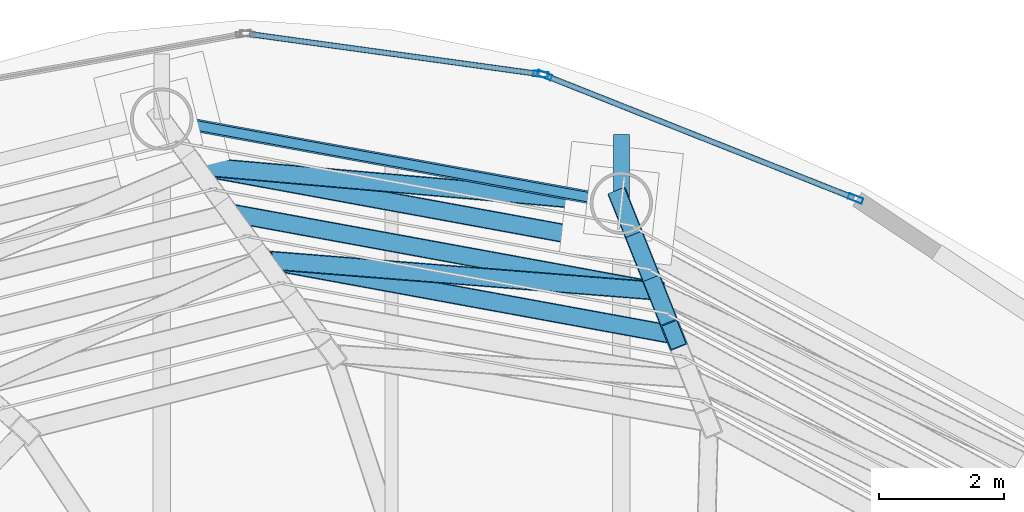
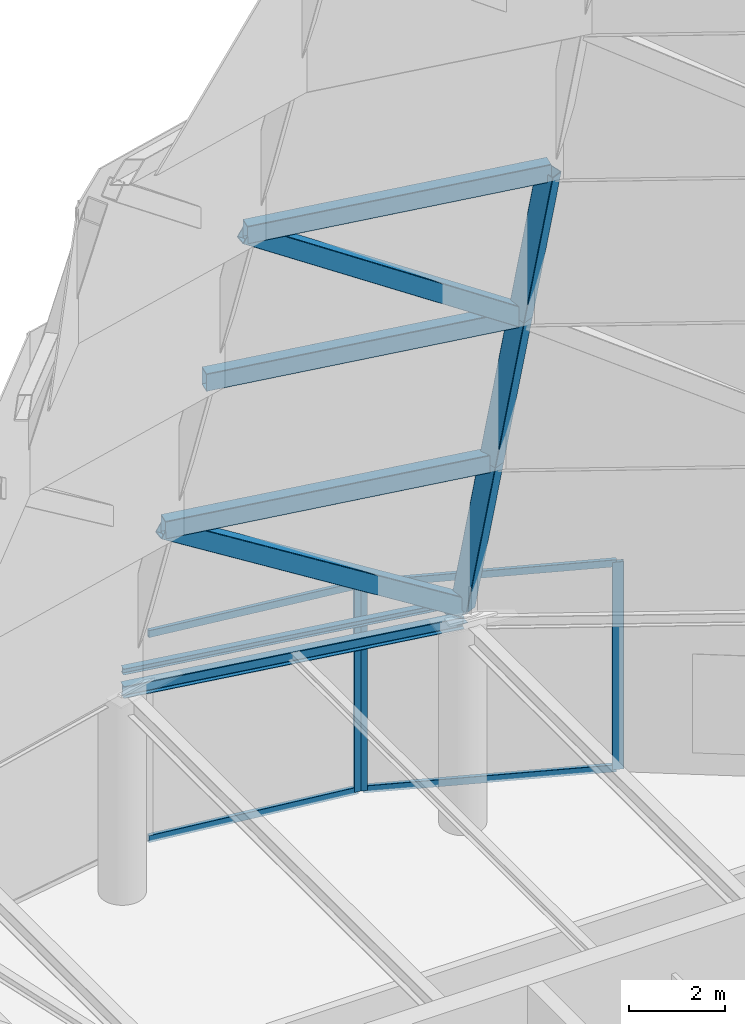
# One storey, part 33 of 40: 15 members, 3 beams, 2 elements without a shape of their own.
"""IFC4 building model written with IfcOpenShell, lengths in metres."""

from ifc_helpers import new_model, si_unit, direction, frame, origin, origin_2d, place, context, subcontext, project, spatial, hollow_rectangle, i_section, extrude, material, layer, layer_set, material_profile, profile_set, type_object, element, aggregate, save


model = new_model("IFC4")

# Units and contexts
model_context = context("Model", 3, precision=1e-05, world=origin(), true_north=direction((0.0, 1.0)))
body_context = subcontext(model_context, "Body", "Model", "MODEL_VIEW")
ifc_project = project(units=[si_unit("LENGTHUNIT", "METRE"), si_unit("AREAUNIT", "SQUARE_METRE"), si_unit("VOLUMEUNIT", "CUBIC_METRE"), si_unit("PLANEANGLEUNIT", "RADIAN"), si_unit("MASSUNIT", "GRAM", prefix="KILO")], contexts=[model_context])

# Site, building, storey
site_placement = place(None, origin())
site = spatial("IfcSite", under=ifc_project, at=site_placement, CompositionType="ELEMENT")
building_placement = place(site_placement, origin())
building = spatial("IfcBuilding", under=site, at=building_placement, Name="Bramvorn Convention Spire", CompositionType="ELEMENT")
storey_placement = place(building_placement, frame((0.0, 0.0, 312.5)))
storey = spatial("IfcBuildingStorey", under=building, at=storey_placement, Name="L79", CompositionType="ELEMENT", Elevation=312.5)

# Beams
ifc_material_1 = material(Name="Steel CSA G40.21 Grade 350 (350W)", Category="steel")
ifc_material_profile_1 = material_profile(ifc_material_1, i_section(OverallWidth=0.152099609375, OverallDepth=0.152099609375, WebThickness=0.005859375, FlangeThickness=0.006591796875, FilletRadius=0.008056640625, at=origin_2d()))
ifc_profile_set_1 = profile_set([ifc_material_profile_1], Name="Steel CSA G40.21 Grade 350 (350W) - W150X22")
beam_type_1 = type_object("IfcBeamType", Name="BM-W150X22", PredefinedType="USERDEFINED", material=ifc_profile_set_1)
beam_1_placement = place(storey_placement, frame((40.1845703125, 45.55078125, 5.60009765625), z_axis=(-0.983645049461, 0.180117785547, 0.0), x_axis=(-0.180117785547, -0.983645049461, 0.0)))
element("IfcBeam", 1, at=beam_1_placement, inside=storey, type_object=beam_type_1, Name="Crown spire base glazing purlin 07", ObjectType="PURLIN", PredefinedType="USERDEFINED", context=body_context, shape_type="SweptSolid", body=[
    extrude(i_section(OverallWidth=0.152099609375, OverallDepth=0.152099609375, WebThickness=0.005859375, FlangeThickness=0.006591796875, FilletRadius=0.008056640625, at=origin_2d()), origin(), (0.0, 0.0, 1.0), 7.49560546875),
])
ifc_material_profile_2 = material_profile(ifc_material_1, i_section(OverallWidth=0.25390625, OverallDepth=0.2529296875, WebThickness=0.008544921875, FlangeThickness=0.01416015625, FilletRadius=0.011962890625, at=origin_2d()))
ifc_profile_set_2 = profile_set([ifc_material_profile_2], Name="Steel CSA G40.21 Grade 350 (350W) - W250X73")
beam_type_2 = type_object("IfcBeamType", Name="BM-W250X73", PredefinedType="BEAM", material=ifc_profile_set_2)
beam_2_placement = place(storey_placement, frame((40.1845703125, 45.55078125, 5.12353515625), z_axis=(0.0, 1.0, 0.0), x_axis=(-1.0, 0.0, 0.0)))
element("IfcBeam", 2, at=beam_2_placement, inside=storey, type_object=beam_type_2, Name="L79 slab-edge cantilever tip beam MC07", PredefinedType="BEAM", context=body_context, shape_type="SweptSolid", body=[
    extrude(i_section(OverallWidth=0.25390625, OverallDepth=0.2529296875, WebThickness=0.008544921875, FlangeThickness=0.01416015625, FilletRadius=0.011962890625, at=origin_2d()), origin(), (0.0, 0.0, 1.0), 1.102294921875),
])
ifc_material_profile_3 = material_profile(ifc_material_1, i_section(OverallWidth=0.202880859375, OverallDepth=0.302978515625, WebThickness=0.007568359375, FlangeThickness=0.01318359375, FilletRadius=0.013916015625, at=origin_2d()))
ifc_profile_set_3 = profile_set([ifc_material_profile_3], Name="Steel CSA G40.21 Grade 350 (350W) - W310X60")
beam_type_3 = type_object("IfcBeamType", Name="BM-W310X60", PredefinedType="JOIST", material=ifc_profile_set_3)
beam_3_placement = place(storey_placement, frame((40.1845703125, 45.55078125, 5.098388671875), z_axis=(-0.983645049461, 0.180117785547, 0.0), x_axis=(-0.180117785547, -0.983645049461, 0.0)))
element("IfcBeam", 3, at=beam_3_placement, inside=storey, type_object=beam_type_3, Name="L79 mega-column ring beam 07", PredefinedType="JOIST", context=body_context, shape_type="SweptSolid", body=[
    extrude(i_section(OverallWidth=0.202880859375, OverallDepth=0.302978515625, WebThickness=0.007568359375, FlangeThickness=0.01318359375, FilletRadius=0.013916015625, at=origin_2d()), origin(), (0.0, 0.0, 1.0), 7.49560546875),
])

# Curtain wall, members
ifc_material_2 = material(Name="Anodised Bronze Unitised Curtain Wall", Category="aluminium")
ifc_layer = layer(ifc_material_2, 0.199951171875)
ifc_layer_set = layer_set([ifc_layer], Name="Anodised Bronze Unitised Curtain Wall - CW-CROWN-SPIRE")
curtain_wall_type = type_object("IfcCurtainWallType", Name="CW-CROWN-SPIRE", PredefinedType="USERDEFINED", material=ifc_layer_set)
curtain_wall_1_placement = place(storey_placement, origin())
curtain_wall_1 = element("IfcCurtainWall", 4, at=curtain_wall_1_placement, inside=storey, type_object=curtain_wall_type, Name="L79 fritted glass curtain wall 10", ObjectType="UNITISED CURTAIN WALL", PredefinedType="USERDEFINED")
ifc_material_3 = material(Name="Anodised Bronze Aluminium 6063-T6", Category="aluminium")
ifc_material_profile_4 = material_profile(ifc_material_3, hollow_rectangle(XDim=0.090087890625, YDim=0.239990234375, WallThickness=0.00439453125, InnerFilletRadius=0.0009765625, OuterFilletRadius=0.00439453125, at=origin_2d()))
ifc_profile_set_4 = profile_set([ifc_material_profile_4], Name="Anodised Bronze Aluminium 6063-T6 - CWM90X240")
member_type_1 = type_object("IfcMemberType", Name="CW-MUL-220", PredefinedType="MULLION", material=ifc_profile_set_4)
member_1_placement = place(storey_placement, frame((38.95068359375, 47.6044921875, 0.0), z_axis=(0.0, 0.0, 1.0), x_axis=(0.368739906217, 0.929532614577, 0.0)))
member_1 = element("IfcMember", 5, at=member_1_placement, type_object=member_type_1, Name="CW6 mullion 1", PredefinedType="MULLION", context=body_context, shape_type="SweptSolid", body=[
    extrude(hollow_rectangle(XDim=0.090087890625, YDim=0.239990234375, WallThickness=0.00439453125, InnerFilletRadius=0.0009765625, OuterFilletRadius=0.00439453125, at=origin_2d()), origin(), (0.0, 0.0, 1.0), 5.25),
])
member_2_placement = place(storey_placement, frame((43.940185546875, 45.625244140625, 0.0), z_axis=(0.0, 0.0, 1.0), x_axis=(0.368739906217, 0.929532614577, 0.0)))
member_2 = element("IfcMember", 6, at=member_2_placement, type_object=member_type_1, Name="CW6 mullion 2", PredefinedType="MULLION", context=body_context, shape_type="SweptSolid", body=[
    extrude(hollow_rectangle(XDim=0.090087890625, YDim=0.239990234375, WallThickness=0.00439453125, InnerFilletRadius=0.0009765625, OuterFilletRadius=0.00439453125, at=origin_2d()), origin(), (0.0, 0.0, 1.0), 5.25),
])

# Curtain wall, member
curtain_wall_2_placement = place(storey_placement, origin())
curtain_wall_2 = element("IfcCurtainWall", 7, at=curtain_wall_2_placement, inside=storey, type_object=curtain_wall_type, Name="L79 fritted glass curtain wall 11", ObjectType="UNITISED CURTAIN WALL", PredefinedType="USERDEFINED")
member_3_placement = place(storey_placement, frame((38.89306640625, 47.61962890625, 0.0), z_axis=(0.0, 0.0, 1.0), x_axis=(0.136635286872, 0.990621420312, 0.0)))
member_3 = element("IfcMember", 8, at=member_3_placement, type_object=member_type_1, Name="CW6 mullion 2", PredefinedType="MULLION", context=body_context, shape_type="SweptSolid", body=[
    extrude(hollow_rectangle(XDim=0.090087890625, YDim=0.239990234375, WallThickness=0.00439453125, InnerFilletRadius=0.0009765625, OuterFilletRadius=0.00439453125, at=origin_2d()), origin(), (0.0, 0.0, 1.0), 5.25),
])

# Member
ifc_material_profile_5 = material_profile(ifc_material_3, hollow_rectangle(XDim=0.090087890625, YDim=0.179931640625, WallThickness=0.00439453125, InnerFilletRadius=0.0009765625, OuterFilletRadius=0.00439453125, at=origin_2d()))
ifc_profile_set_5 = profile_set([ifc_material_profile_5], Name="Anodised Bronze Aluminium 6063-T6 - CWT90X180")
member_type_2 = type_object("IfcMemberType", Name="CW-TRN-180", PredefinedType="USERDEFINED", material=ifc_profile_set_5)
member_4_placement = place(storey_placement, frame((38.978515625, 47.59326171875, 0.030029296875), z_axis=(0.929538764458, -0.368724403003, 0.0), x_axis=(0.368724403003, 0.929538764458, 0.0)))
member_4 = element("IfcMember", 9, at=member_4_placement, type_object=member_type_2, Name="CW6 transom 1.1", ObjectType="TRANSOM", PredefinedType="USERDEFINED", context=body_context, shape_type="SweptSolid", body=[
    extrude(hollow_rectangle(XDim=0.090087890625, YDim=0.179931640625, WallThickness=0.00439453125, InnerFilletRadius=0.0009765625, OuterFilletRadius=0.00439453125, at=origin_2d()), origin(), (0.0, 0.0, 1.0), 5.3076171875),
])

member_5_placement = place(storey_placement, frame((38.978515625, 47.59326171875, 5.219970703125), z_axis=(0.929538764458, -0.368724403003, 0.0), x_axis=(0.368724403003, 0.929538764458, 0.0)))
member_5 = element("IfcMember", 10, at=member_5_placement, type_object=member_type_2, Name="CW6 transom 1.2", ObjectType="TRANSOM", PredefinedType="USERDEFINED", context=body_context, shape_type="SweptSolid", body=[
    extrude(hollow_rectangle(XDim=0.090087890625, YDim=0.179931640625, WallThickness=0.00439453125, InnerFilletRadius=0.0009765625, OuterFilletRadius=0.00439453125, at=origin_2d()), origin(), (0.0, 0.0, 1.0), 5.3076171875),
])

aggregate(curtain_wall_1, [member_1, member_2, member_4, member_5])

member_6_placement = place(storey_placement, frame((34.216796875, 48.2646484375, 0.030029296875), z_axis=(0.990621858055, -0.136632113146, 0.0), x_axis=(0.136632113146, 0.990621858055, 0.0)))
member_6 = element("IfcMember", 11, at=member_6_placement, type_object=member_type_2, Name="CW6 transom 1.1", ObjectType="TRANSOM", PredefinedType="USERDEFINED", context=body_context, shape_type="SweptSolid", body=[
    extrude(hollow_rectangle(XDim=0.090087890625, YDim=0.179931640625, WallThickness=0.00439453125, InnerFilletRadius=0.0009765625, OuterFilletRadius=0.00439453125, at=origin_2d()), origin(), (0.0, 0.0, 1.0), 4.6904296875),
])

member_7_placement = place(storey_placement, frame((34.216796875, 48.2646484375, 5.219970703125), z_axis=(0.990621858055, -0.136632113146, 0.0), x_axis=(0.136632113146, 0.990621858055, 0.0)))
member_7 = element("IfcMember", 12, at=member_7_placement, type_object=member_type_2, Name="CW6 transom 1.2", ObjectType="TRANSOM", PredefinedType="USERDEFINED", context=body_context, shape_type="SweptSolid", body=[
    extrude(hollow_rectangle(XDim=0.090087890625, YDim=0.179931640625, WallThickness=0.00439453125, InnerFilletRadius=0.0009765625, OuterFilletRadius=0.00439453125, at=origin_2d()), origin(), (0.0, 0.0, 1.0), 4.6904296875),
])

aggregate(curtain_wall_2, [member_3, member_6, member_7])

# Members
ifc_material_profile_6 = material_profile(ifc_material_1, hollow_rectangle(XDim=0.300048828125, YDim=0.449951171875, WallThickness=0.02001953125, InnerFilletRadius=0.00390625, OuterFilletRadius=0.02392578125, at=origin_2d()))
ifc_profile_set_6 = profile_set([ifc_material_profile_6], Name="Steel CSA G40.21 Grade 350 (350W) - CROWN450X300X20")
member_type_3 = type_object("IfcMemberType", Name="MBR-CROWN450X300X20", PredefinedType="USERDEFINED", material=ifc_profile_set_6)
member_8_placement = place(storey_placement, frame((40.1845703125, 45.55078125, 5.5), z_axis=(0.069083143736, -0.172887763361, 0.982515822026), x_axis=(0.928609913225, 0.371057447116, 0.0)))
element("IfcMember", 13, at=member_8_placement, inside=storey, type_object=member_type_3, Name="Crown spire CROWN FRAME rib T1-07", ObjectType="CROWN FRAME", PredefinedType="USERDEFINED", context=body_context, shape_type="SweptSolid", body=[
    extrude(hollow_rectangle(XDim=0.300048828125, YDim=0.449951171875, WallThickness=0.02001953125, InnerFilletRadius=0.00390625, OuterFilletRadius=0.02392578125, at=origin_2d()), origin(), (0.0, 0.0, 1.0), 4.0712890625),
])
member_9_placement = place(storey_placement, frame((40.4658203125, 44.846923828125, 9.5), z_axis=(-0.983643693589, 0.180125189974, 0.0), x_axis=(-0.180125189974, -0.983643693589, 0.0)))
element("IfcMember", 14, at=member_9_placement, inside=storey, type_object=member_type_3, Name="Crown spire CROWN FRAME ring beam T1-07", ObjectType="CROWN FRAME", PredefinedType="USERDEFINED", context=body_context, shape_type="SweptSolid", body=[
    extrude(hollow_rectangle(XDim=0.300048828125, YDim=0.449951171875, WallThickness=0.02001953125, InnerFilletRadius=0.00390625, OuterFilletRadius=0.02392578125, at=origin_2d()), origin(), (0.0, 0.0, 1.0), 7.2255859375),
])
member_10_placement = place(storey_placement, frame((40.1845703125, 45.55078125, 5.5), z_axis=(-0.860332225871, 0.075325224926, 0.5041374531), x_axis=(-0.087219987709, -0.996189075299, 0.0)))
element("IfcMember", 15, at=member_10_placement, inside=storey, type_object=member_type_3, Name="Crown spire CROWN FRAME wind brace T1-07", ObjectType="CROWN FRAME", PredefinedType="USERDEFINED", context=body_context, shape_type="SweptSolid", body=[
    extrude(hollow_rectangle(XDim=0.300048828125, YDim=0.449951171875, WallThickness=0.02001953125, InnerFilletRadius=0.00390625, OuterFilletRadius=0.02392578125, at=origin_2d()), origin(), (0.0, 0.0, 1.0), 7.934326171875),
])
member_11_placement = place(storey_placement, frame((40.4658203125, 44.846923828125, 9.5), z_axis=(0.069142825176, -0.172887046819, 0.982511749939), x_axis=(0.928498900257, 0.371335148108, 0.0)))
element("IfcMember", 16, at=member_11_placement, inside=storey, type_object=member_type_3, Name="Crown spire CROWN FRAME rib T2-07", ObjectType="CROWN FRAME", PredefinedType="USERDEFINED", context=body_context, shape_type="SweptSolid", body=[
    extrude(hollow_rectangle(XDim=0.300048828125, YDim=0.449951171875, WallThickness=0.02001953125, InnerFilletRadius=0.00390625, OuterFilletRadius=0.02392578125, at=origin_2d()), origin(), (0.0, 0.0, 1.0), 4.0712890625),
])
member_12_placement = place(storey_placement, frame((40.747314453125, 44.14306640625, 13.5), z_axis=(-0.983644509988, 0.180120731651, 0.0), x_axis=(-0.180120731651, -0.983644509988, 0.0)))
element("IfcMember", 17, at=member_12_placement, inside=storey, type_object=member_type_3, Name="Crown spire CROWN FRAME ring beam T2-07", ObjectType="CROWN FRAME", PredefinedType="USERDEFINED", context=body_context, shape_type="SweptSolid", body=[
    extrude(hollow_rectangle(XDim=0.300048828125, YDim=0.449951171875, WallThickness=0.02001953125, InnerFilletRadius=0.00390625, OuterFilletRadius=0.02392578125, at=origin_2d()), origin(), (0.0, 0.0, 1.0), 6.9560546875),
])
member_13_placement = place(storey_placement, frame((40.747314453125, 44.14306640625, 13.5), z_axis=(0.069083143736, -0.172887763361, 0.982515822026), x_axis=(0.928609913225, 0.371057447116, 0.0)))
element("IfcMember", 18, at=member_13_placement, inside=storey, type_object=member_type_3, Name="Crown spire CROWN FRAME rib T3-07", ObjectType="CROWN FRAME", PredefinedType="USERDEFINED", context=body_context, shape_type="SweptSolid", body=[
    extrude(hollow_rectangle(XDim=0.300048828125, YDim=0.449951171875, WallThickness=0.02001953125, InnerFilletRadius=0.00390625, OuterFilletRadius=0.02392578125, at=origin_2d()), origin(), (0.0, 0.0, 1.0), 4.0712890625),
])
member_14_placement = place(storey_placement, frame((41.028564453125, 43.439208984375, 17.5), z_axis=(-0.983643022877, 0.180128852619, 0.0), x_axis=(-0.180128852619, -0.983643022877, 0.0)))
element("IfcMember", 19, at=member_14_placement, inside=storey, type_object=member_type_3, Name="Crown spire CROWN FRAME ring beam T3-07", ObjectType="CROWN FRAME", PredefinedType="USERDEFINED", context=body_context, shape_type="SweptSolid", body=[
    extrude(hollow_rectangle(XDim=0.300048828125, YDim=0.449951171875, WallThickness=0.02001953125, InnerFilletRadius=0.00390625, OuterFilletRadius=0.02392578125, at=origin_2d()), origin(), (0.0, 0.0, 1.0), 6.68603515625),
])
member_15_placement = place(storey_placement, frame((40.747314453125, 44.14306640625, 13.5), z_axis=(-0.842142193212, 0.066950728926, 0.535083289133), x_axis=(-0.079250454109, -0.99685473642, 0.0)))
element("IfcMember", 20, at=member_15_placement, inside=storey, type_object=member_type_3, Name="Crown spire CROWN FRAME wind brace T3-07", ObjectType="CROWN FRAME", PredefinedType="USERDEFINED", context=body_context, shape_type="SweptSolid", body=[
    extrude(hollow_rectangle(XDim=0.300048828125, YDim=0.449951171875, WallThickness=0.02001953125, InnerFilletRadius=0.00390625, OuterFilletRadius=0.02392578125, at=origin_2d()), origin(), (0.0, 0.0, 1.0), 7.4755859375),
])

save(model, "model.ifc")
